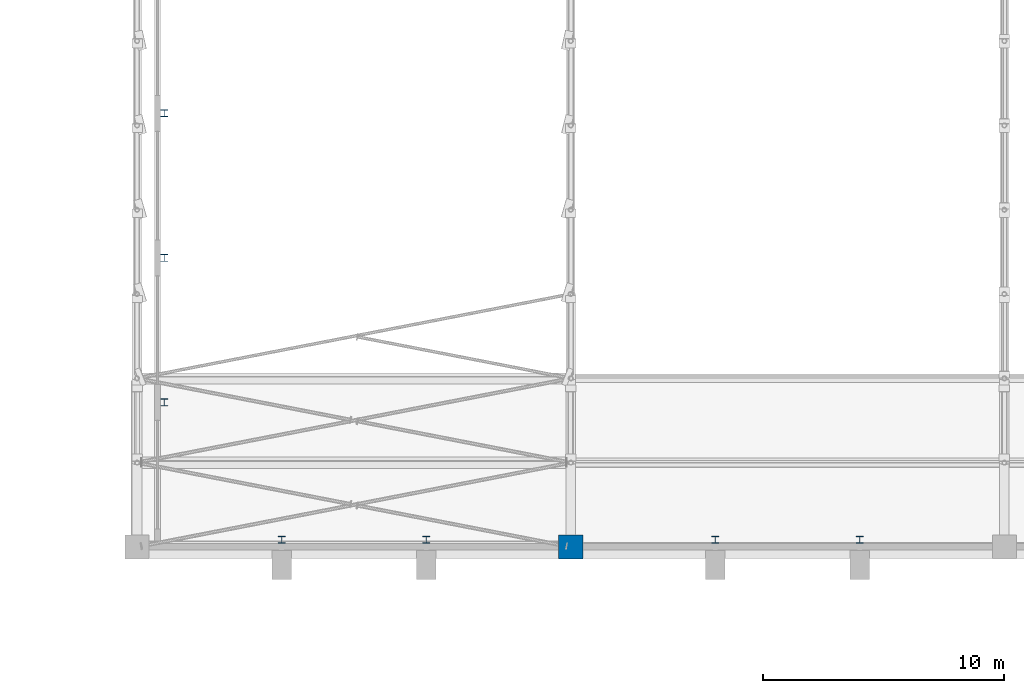
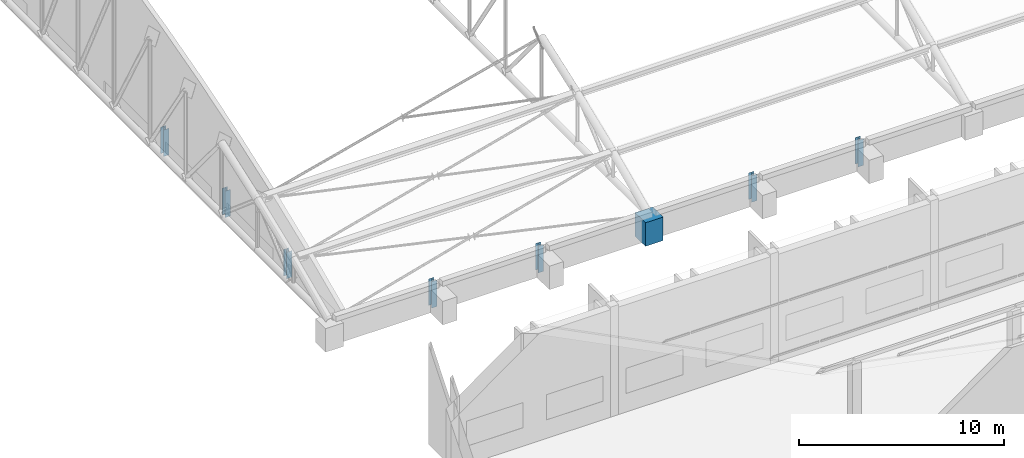
# One storey, part 7 of 196: 8 columns.
"""IFC4 building model written with IfcOpenShell, lengths in metres."""

from ifc_helpers import new_model, si_unit, direction, frame, origin, origin_2d, place, context, subcontext, project, spatial, rectangle, i_section, extrude, material, material_profile, profile_set, type_object, element, save


model = new_model("IFC4")

# Units and contexts
model_context = context("Model", 3, precision=1e-05, world=origin(), true_north=direction((0.0, 1.0)))
body_context = subcontext(model_context, "Body", "Model", "MODEL_VIEW")
ifc_project = project(units=[si_unit("LENGTHUNIT", "METRE"), si_unit("AREAUNIT", "SQUARE_METRE"), si_unit("VOLUMEUNIT", "CUBIC_METRE"), si_unit("PLANEANGLEUNIT", "RADIAN"), si_unit("MASSUNIT", "GRAM", prefix="KILO")], contexts=[model_context])

# Site, building, storey
site_placement = place(None, origin())
site = spatial("IfcSite", under=ifc_project, at=site_placement, CompositionType="ELEMENT")
building_placement = place(site_placement, origin())
building = spatial("IfcBuilding", under=site, at=building_placement, Name="Okhra Congress Centre", CompositionType="ELEMENT")
storey_placement = place(building_placement, frame((0.0, 0.0, 12.0)))
storey = spatial("IfcBuildingStorey", under=building, at=storey_placement, Name="L02", CompositionType="ELEMENT", Elevation=12.0)

# Columns
ifc_material_1 = material(Name="Steel S355J2", Category="steel")
ifc_material_profile_1 = material_profile(ifc_material_1, i_section(OverallWidth=0.300048828125, OverallDepth=0.2900390625, WebThickness=0.008544921875, FlangeThickness=0.013916015625, at=origin_2d()), Name="HE 300 A")
ifc_profile_set_1 = profile_set([ifc_material_profile_1], Name="Steel S355J2")
column_type_1 = type_object("IfcColumnType", Name="HE 300 A", PredefinedType="COLUMN", material=ifc_profile_set_1)
for number, where, z_axis, x_axis, name in (
    (1, (34.0, 132.300048828125, 0.0), (0.0, 0.0, 1.0), (1.0, 0.0, 0.0), "EH.COL.L02.WP1"),
    (2, (40.0, 132.300048828125, 0.0), (0.0, 0.0, 1.0), (1.0, 0.0, 0.0), "EH.COL.L02.WP2"),
    (3, (52.0, 132.300048828125, 0.0), (0.0, 0.0, 1.0), (1.0, 0.0, 0.0), "EH.COL.L02.WP3"),
    (4, (58.0, 132.300048828125, 0.0), (0.0, 0.0, 1.0), (1.0, 0.0, 0.0), "EH.COL.L02.WP4"),
    (5, (29.125, 138.0, 0.0), (0.0, 0.0, 1.0), (1.0, 0.0, 0.0), "EH.COL.L02.WP15"),
    (6, (29.125, 144.0, 0.0), (0.0, 0.0, 1.0), (1.0, 0.0, 0.0), "EH.COL.L02.WP17"),
    (7, (29.125, 150.0, 0.0), (0.0, 0.0, 1.0), (1.0, 0.0, 0.0), "EH.COL.L02.WP19"),
):
    element("IfcColumn", number, at=place(storey_placement, frame(where, z_axis=z_axis, x_axis=x_axis)), inside=storey, type_object=column_type_1, Name=name, PredefinedType="COLUMN", context=body_context, shape_type="SweptSolid", body=[
        extrude(i_section(OverallWidth=0.300048828125, OverallDepth=0.2900390625, WebThickness=0.008544921875, FlangeThickness=0.013916015625, at=origin_2d()), origin(), (0.0, 0.0, 1.0), 1.57666015625),
    ])
ifc_material_2 = material(Name="Concrete C40/50", Category="concrete")
ifc_material_profile_2 = material_profile(ifc_material_2, rectangle(XDim=1.0, YDim=1.0, at=origin_2d()), Name="RC 1000x1000")
ifc_profile_set_2 = profile_set([ifc_material_profile_2], Name="Concrete C40/50")
column_type_2 = type_object("IfcColumnType", Name="RC column 1000x1000 C40/50", PredefinedType="COLUMN", material=ifc_profile_set_2)
column_placement = place(storey_placement, frame((46.0, 132.0, 0.0), z_axis=(0.0, 0.0, 1.0), x_axis=(1.0, 0.0, 0.0)))
element("IfcColumn", 8, at=column_placement, inside=storey, type_object=column_type_2, Name="EH.COL.L02.SC3", PredefinedType="COLUMN", context=body_context, shape_type="SweptSolid", body=[
    extrude(rectangle(XDim=1.0, YDim=1.0, at=origin_2d()), origin(), (0.0, 0.0, 1.0), 1.39990234375),
])

save(model, "model.ifc")
